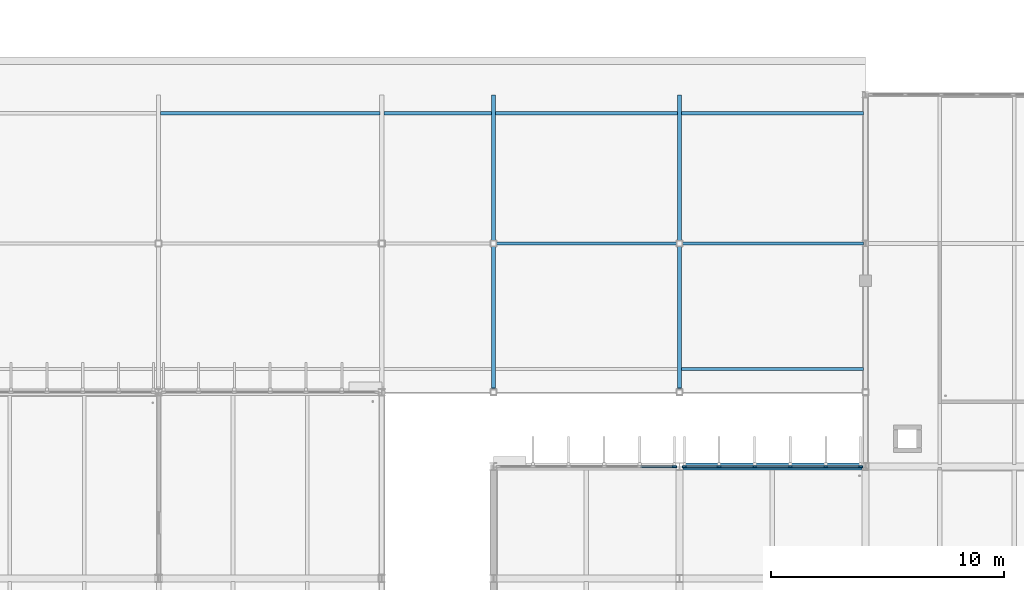
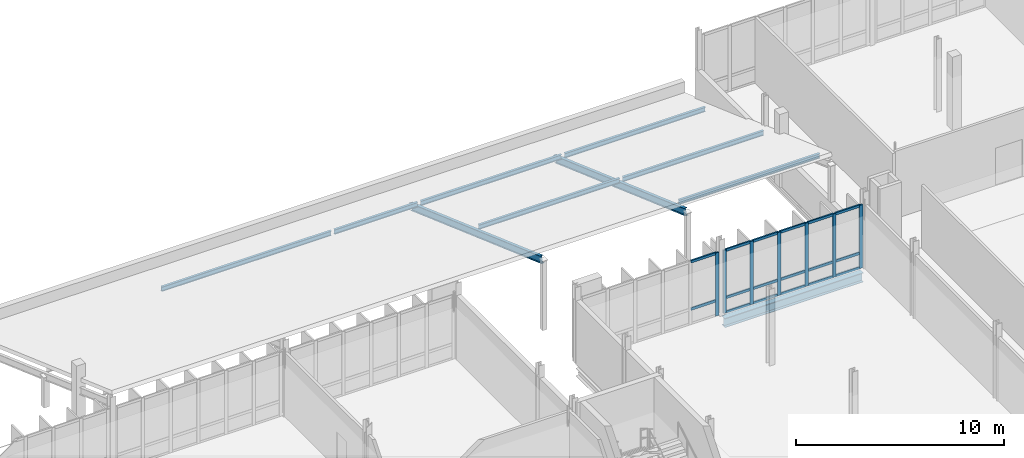
# One storey, part 32 of 107: 33 members, 1 beam, 2 elements without a shape of their own.
"""IFC4 building model written with IfcOpenShell, lengths in metres."""

from ifc_helpers import new_model, si_unit, direction, frame, origin, origin_2d, place, context, subcontext, project, spatial, rectangle, i_section, extrude, material, material_profile, profile_set, type_object, element, aggregate, save


model = new_model("IFC4")

# Units and contexts
model_context = context("Model", 3, precision=1e-05, world=origin(), true_north=direction((0.0, 1.0)))
body_context = subcontext(model_context, "Body", "Model", "MODEL_VIEW")
ifc_project = project(units=[si_unit("LENGTHUNIT", "METRE"), si_unit("AREAUNIT", "SQUARE_METRE"), si_unit("VOLUMEUNIT", "CUBIC_METRE"), si_unit("PLANEANGLEUNIT", "RADIAN"), si_unit("MASSUNIT", "GRAM", prefix="KILO")], contexts=[model_context])

# Site, building, storey
site_placement = place(None, origin())
site = spatial("IfcSite", under=ifc_project, at=site_placement, CompositionType="ELEMENT")
building_placement = place(site_placement, origin())
building = spatial("IfcBuilding", under=site, at=building_placement, Name="Dunescarp Central Library", CompositionType="ELEMENT")
storey_placement = place(building_placement, frame((0.0, 0.0, 5.10009765625)))
storey = spatial("IfcBuildingStorey", under=building, at=storey_placement, Name="L01", CompositionType="ELEMENT", Elevation=5.10009765625)

# Curtain wall, member
ifc_material_1 = material(Name="Marine-grade anodised aluminium 6063-T6", Category="aluminium")
curtain_wall_type = type_object("IfcCurtainWallType", Name="ARC-CW-STICK", PredefinedType="NOTDEFINED", material=ifc_material_1)
curtain_wall_1_placement = place(storey_placement, origin())
curtain_wall_1 = element("IfcCurtainWall", 1, at=curtain_wall_1_placement, inside=storey, type_object=curtain_wall_type, Name="L01 curtain wall CW-V3-088", PredefinedType="NOTDEFINED")
ifc_material_profile_1 = material_profile(ifc_material_1, rectangle(XDim=0.080078125, YDim=0.179931640625, at=origin_2d()), Name="AL 80x180")
ifc_profile_set_1 = profile_set([ifc_material_profile_1], Name="Marine-grade anodised aluminium 6063-T6")
member_type_1 = type_object("IfcMemberType", Name="ARC-CWM-180", PredefinedType="MULLION", material=ifc_profile_set_1)
member_1_placement = place(storey_placement, frame((89.385009765625, 33.60009765625, 0.0), z_axis=(0.0, 0.0, 1.0), x_axis=(0.0, 1.0, 0.0)))
member_1 = element("IfcMember", 2, at=member_1_placement, type_object=member_type_1, Name="CW-V3-088 mullion 6", PredefinedType="MULLION", context=body_context, shape_type="SweptSolid", body=[
    extrude(rectangle(XDim=0.080078125, YDim=0.179931640625, at=origin_2d()), origin(), (0.0, 0.0, 1.0), 3.71484375),
])

# Curtain wall, members
curtain_wall_2_placement = place(storey_placement, origin())
curtain_wall_2 = element("IfcCurtainWall", 3, at=curtain_wall_2_placement, inside=storey, type_object=curtain_wall_type, Name="L01 curtain wall CW-V3-089", PredefinedType="NOTDEFINED")
member_2_placement = place(storey_placement, frame((89.81494140625, 33.60009765625, 0.0), z_axis=(0.0, 0.0, 1.0), x_axis=(0.0, 1.0, 0.0)))
member_2 = element("IfcMember", 4, at=member_2_placement, type_object=member_type_1, Name="CW-V3-089 mullion 1", PredefinedType="MULLION", context=body_context, shape_type="SweptSolid", body=[
    extrude(rectangle(XDim=0.080078125, YDim=0.179931640625, at=origin_2d()), origin(), (0.0, 0.0, 1.0), 3.71484375),
])
member_3_placement = place(storey_placement, frame((91.304931640625, 33.60009765625, 0.0), z_axis=(0.0, 0.0, 1.0), x_axis=(0.0, 1.0, 0.0)))
member_3 = element("IfcMember", 5, at=member_3_placement, type_object=member_type_1, Name="CW-V3-089 mullion 2", PredefinedType="MULLION", context=body_context, shape_type="SweptSolid", body=[
    extrude(rectangle(XDim=0.080078125, YDim=0.179931640625, at=origin_2d()), origin(), (0.0, 0.0, 1.0), 3.71484375),
])
member_4_placement = place(storey_placement, frame((92.8349609375, 33.60009765625, 0.0), z_axis=(0.0, 0.0, 1.0), x_axis=(0.0, 1.0, 0.0)))
member_4 = element("IfcMember", 6, at=member_4_placement, type_object=member_type_1, Name="CW-V3-089 mullion 3", PredefinedType="MULLION", context=body_context, shape_type="SweptSolid", body=[
    extrude(rectangle(XDim=0.080078125, YDim=0.179931640625, at=origin_2d()), origin(), (0.0, 0.0, 1.0), 3.71484375),
])
member_5_placement = place(storey_placement, frame((94.364990234375, 33.60009765625, 0.0), z_axis=(0.0, 0.0, 1.0), x_axis=(0.0, 1.0, 0.0)))
member_5 = element("IfcMember", 7, at=member_5_placement, type_object=member_type_1, Name="CW-V3-089 mullion 4", PredefinedType="MULLION", context=body_context, shape_type="SweptSolid", body=[
    extrude(rectangle(XDim=0.080078125, YDim=0.179931640625, at=origin_2d()), origin(), (0.0, 0.0, 1.0), 3.71484375),
])
member_6_placement = place(storey_placement, frame((95.89501953125, 33.60009765625, 0.0), z_axis=(0.0, 0.0, 1.0), x_axis=(0.0, 1.0, 0.0)))
member_6 = element("IfcMember", 8, at=member_6_placement, type_object=member_type_1, Name="CW-V3-089 mullion 5", PredefinedType="MULLION", context=body_context, shape_type="SweptSolid", body=[
    extrude(rectangle(XDim=0.080078125, YDim=0.179931640625, at=origin_2d()), origin(), (0.0, 0.0, 1.0), 3.71484375),
])
member_7_placement = place(storey_placement, frame((97.385009765625, 33.60009765625, 0.0), z_axis=(0.0, 0.0, 1.0), x_axis=(0.0, 1.0, 0.0)))
member_7 = element("IfcMember", 9, at=member_7_placement, type_object=member_type_1, Name="CW-V3-089 mullion 6", PredefinedType="MULLION", context=body_context, shape_type="SweptSolid", body=[
    extrude(rectangle(XDim=0.080078125, YDim=0.179931640625, at=origin_2d()), origin(), (0.0, 0.0, 1.0), 3.71484375),
])

# Member
ifc_material_profile_2 = material_profile(ifc_material_1, rectangle(XDim=0.080078125, YDim=0.14990234375, at=origin_2d()), Name="AL 80x150")
ifc_profile_set_2 = profile_set([ifc_material_profile_2], Name="Marine-grade anodised aluminium 6063-T6")
member_type_2 = type_object("IfcMemberType", Name="ARC-CWT-150", PredefinedType="USERDEFINED", material=ifc_profile_set_2)
member_8_placement = place(storey_placement, frame((87.93505859375, 33.60009765625, 0.89990234375), z_axis=(1.0, 0.0, 0.0), x_axis=(0.0, 1.0, 0.0)))
member_8 = element("IfcMember", 10, at=member_8_placement, type_object=member_type_2, Name="CW-V3-088 transom 5.2", ObjectType="TRANSOM", PredefinedType="USERDEFINED", context=body_context, shape_type="SweptSolid", body=[
    extrude(rectangle(XDim=0.080078125, YDim=0.14990234375, at=origin_2d()), origin(), (0.0, 0.0, 1.0), 1.409912109375),
])

member_9_placement = place(storey_placement, frame((87.93505859375, 33.60009765625, 3.6748046875), z_axis=(1.0, 0.0, 0.0), x_axis=(0.0, 1.0, 0.0)))
member_9 = element("IfcMember", 11, at=member_9_placement, type_object=member_type_2, Name="CW-V3-088 transom 5.3", ObjectType="TRANSOM", PredefinedType="USERDEFINED", context=body_context, shape_type="SweptSolid", body=[
    extrude(rectangle(XDim=0.080078125, YDim=0.14990234375, at=origin_2d()), origin(), (0.0, 0.0, 1.0), 1.409912109375),
])

aggregate(curtain_wall_1, [member_1, member_8, member_9])

member_10_placement = place(storey_placement, frame((89.85498046875, 33.60009765625, 0.039794921875), z_axis=(1.0, 0.0, 0.0), x_axis=(0.0, 1.0, 0.0)))
member_10 = element("IfcMember", 12, at=member_10_placement, type_object=member_type_2, Name="CW-V3-089 transom 1.1", ObjectType="TRANSOM", PredefinedType="USERDEFINED", context=body_context, shape_type="SweptSolid", body=[
    extrude(rectangle(XDim=0.080078125, YDim=0.14990234375, at=origin_2d()), origin(), (0.0, 0.0, 1.0), 1.409912109375),
])

member_11_placement = place(storey_placement, frame((89.85498046875, 33.60009765625, 0.89990234375), z_axis=(1.0, 0.0, 0.0), x_axis=(0.0, 1.0, 0.0)))
member_11 = element("IfcMember", 13, at=member_11_placement, type_object=member_type_2, Name="CW-V3-089 transom 1.2", ObjectType="TRANSOM", PredefinedType="USERDEFINED", context=body_context, shape_type="SweptSolid", body=[
    extrude(rectangle(XDim=0.080078125, YDim=0.14990234375, at=origin_2d()), origin(), (0.0, 0.0, 1.0), 1.409912109375),
])

member_12_placement = place(storey_placement, frame((89.85498046875, 33.60009765625, 3.6748046875), z_axis=(1.0, 0.0, 0.0), x_axis=(0.0, 1.0, 0.0)))
member_12 = element("IfcMember", 14, at=member_12_placement, type_object=member_type_2, Name="CW-V3-089 transom 1.3", ObjectType="TRANSOM", PredefinedType="USERDEFINED", context=body_context, shape_type="SweptSolid", body=[
    extrude(rectangle(XDim=0.080078125, YDim=0.14990234375, at=origin_2d()), origin(), (0.0, 0.0, 1.0), 1.409912109375),
])

member_13_placement = place(storey_placement, frame((91.344970703125, 33.60009765625, 0.039794921875), z_axis=(1.0, 0.0, 0.0), x_axis=(0.0, 1.0, 0.0)))
member_13 = element("IfcMember", 15, at=member_13_placement, type_object=member_type_2, Name="CW-V3-089 transom 2.1", ObjectType="TRANSOM", PredefinedType="USERDEFINED", context=body_context, shape_type="SweptSolid", body=[
    extrude(rectangle(XDim=0.080078125, YDim=0.14990234375, at=origin_2d()), origin(), (0.0, 0.0, 1.0), 1.449951171875),
])

member_14_placement = place(storey_placement, frame((91.344970703125, 33.60009765625, 0.89990234375), z_axis=(1.0, 0.0, 0.0), x_axis=(0.0, 1.0, 0.0)))
member_14 = element("IfcMember", 16, at=member_14_placement, type_object=member_type_2, Name="CW-V3-089 transom 2.2", ObjectType="TRANSOM", PredefinedType="USERDEFINED", context=body_context, shape_type="SweptSolid", body=[
    extrude(rectangle(XDim=0.080078125, YDim=0.14990234375, at=origin_2d()), origin(), (0.0, 0.0, 1.0), 1.449951171875),
])

member_15_placement = place(storey_placement, frame((91.344970703125, 33.60009765625, 3.6748046875), z_axis=(1.0, 0.0, 0.0), x_axis=(0.0, 1.0, 0.0)))
member_15 = element("IfcMember", 17, at=member_15_placement, type_object=member_type_2, Name="CW-V3-089 transom 2.3", ObjectType="TRANSOM", PredefinedType="USERDEFINED", context=body_context, shape_type="SweptSolid", body=[
    extrude(rectangle(XDim=0.080078125, YDim=0.14990234375, at=origin_2d()), origin(), (0.0, 0.0, 1.0), 1.449951171875),
])

member_16_placement = place(storey_placement, frame((92.875, 33.60009765625, 0.039794921875), z_axis=(1.0, 0.0, 0.0), x_axis=(0.0, 1.0, 0.0)))
member_16 = element("IfcMember", 18, at=member_16_placement, type_object=member_type_2, Name="CW-V3-089 transom 3.1", ObjectType="TRANSOM", PredefinedType="USERDEFINED", context=body_context, shape_type="SweptSolid", body=[
    extrude(rectangle(XDim=0.080078125, YDim=0.14990234375, at=origin_2d()), origin(), (0.0, 0.0, 1.0), 1.449951171875),
])

member_17_placement = place(storey_placement, frame((92.875, 33.60009765625, 0.89990234375), z_axis=(1.0, 0.0, 0.0), x_axis=(0.0, 1.0, 0.0)))
member_17 = element("IfcMember", 19, at=member_17_placement, type_object=member_type_2, Name="CW-V3-089 transom 3.2", ObjectType="TRANSOM", PredefinedType="USERDEFINED", context=body_context, shape_type="SweptSolid", body=[
    extrude(rectangle(XDim=0.080078125, YDim=0.14990234375, at=origin_2d()), origin(), (0.0, 0.0, 1.0), 1.449951171875),
])

member_18_placement = place(storey_placement, frame((92.875, 33.60009765625, 3.6748046875), z_axis=(1.0, 0.0, 0.0), x_axis=(0.0, 1.0, 0.0)))
member_18 = element("IfcMember", 20, at=member_18_placement, type_object=member_type_2, Name="CW-V3-089 transom 3.3", ObjectType="TRANSOM", PredefinedType="USERDEFINED", context=body_context, shape_type="SweptSolid", body=[
    extrude(rectangle(XDim=0.080078125, YDim=0.14990234375, at=origin_2d()), origin(), (0.0, 0.0, 1.0), 1.449951171875),
])

member_19_placement = place(storey_placement, frame((94.405029296875, 33.60009765625, 0.039794921875), z_axis=(1.0, 0.0, 0.0), x_axis=(0.0, 1.0, 0.0)))
member_19 = element("IfcMember", 21, at=member_19_placement, type_object=member_type_2, Name="CW-V3-089 transom 4.1", ObjectType="TRANSOM", PredefinedType="USERDEFINED", context=body_context, shape_type="SweptSolid", body=[
    extrude(rectangle(XDim=0.080078125, YDim=0.14990234375, at=origin_2d()), origin(), (0.0, 0.0, 1.0), 1.449951171875),
])

member_20_placement = place(storey_placement, frame((94.405029296875, 33.60009765625, 0.89990234375), z_axis=(1.0, 0.0, 0.0), x_axis=(0.0, 1.0, 0.0)))
member_20 = element("IfcMember", 22, at=member_20_placement, type_object=member_type_2, Name="CW-V3-089 transom 4.2", ObjectType="TRANSOM", PredefinedType="USERDEFINED", context=body_context, shape_type="SweptSolid", body=[
    extrude(rectangle(XDim=0.080078125, YDim=0.14990234375, at=origin_2d()), origin(), (0.0, 0.0, 1.0), 1.449951171875),
])

member_21_placement = place(storey_placement, frame((94.405029296875, 33.60009765625, 3.6748046875), z_axis=(1.0, 0.0, 0.0), x_axis=(0.0, 1.0, 0.0)))
member_21 = element("IfcMember", 23, at=member_21_placement, type_object=member_type_2, Name="CW-V3-089 transom 4.3", ObjectType="TRANSOM", PredefinedType="USERDEFINED", context=body_context, shape_type="SweptSolid", body=[
    extrude(rectangle(XDim=0.080078125, YDim=0.14990234375, at=origin_2d()), origin(), (0.0, 0.0, 1.0), 1.449951171875),
])

member_22_placement = place(storey_placement, frame((95.93505859375, 33.60009765625, 0.039794921875), z_axis=(1.0, 0.0, 0.0), x_axis=(0.0, 1.0, 0.0)))
member_22 = element("IfcMember", 24, at=member_22_placement, type_object=member_type_2, Name="CW-V3-089 transom 5.1", ObjectType="TRANSOM", PredefinedType="USERDEFINED", context=body_context, shape_type="SweptSolid", body=[
    extrude(rectangle(XDim=0.080078125, YDim=0.14990234375, at=origin_2d()), origin(), (0.0, 0.0, 1.0), 1.409912109375),
])

member_23_placement = place(storey_placement, frame((95.93505859375, 33.60009765625, 0.89990234375), z_axis=(1.0, 0.0, 0.0), x_axis=(0.0, 1.0, 0.0)))
member_23 = element("IfcMember", 25, at=member_23_placement, type_object=member_type_2, Name="CW-V3-089 transom 5.2", ObjectType="TRANSOM", PredefinedType="USERDEFINED", context=body_context, shape_type="SweptSolid", body=[
    extrude(rectangle(XDim=0.080078125, YDim=0.14990234375, at=origin_2d()), origin(), (0.0, 0.0, 1.0), 1.409912109375),
])

member_24_placement = place(storey_placement, frame((95.93505859375, 33.60009765625, 3.6748046875), z_axis=(1.0, 0.0, 0.0), x_axis=(0.0, 1.0, 0.0)))
member_24 = element("IfcMember", 26, at=member_24_placement, type_object=member_type_2, Name="CW-V3-089 transom 5.3", ObjectType="TRANSOM", PredefinedType="USERDEFINED", context=body_context, shape_type="SweptSolid", body=[
    extrude(rectangle(XDim=0.080078125, YDim=0.14990234375, at=origin_2d()), origin(), (0.0, 0.0, 1.0), 1.409912109375),
])

aggregate(curtain_wall_2, [member_2, member_3, member_4, member_5, member_6, member_7, member_10, member_11, member_12, member_13, member_14, member_15, member_16, member_17, member_18, member_19, member_20, member_21, member_22, member_23, member_24])

# Beam
ifc_material_2 = material(Name="Steel S355JR", Category="steel")
ifc_material_profile_3 = material_profile(ifc_material_2, i_section(OverallWidth=0.300048828125, OverallDepth=0.550048828125, WebThickness=0.014892578125, FlangeThickness=0.029052734375, at=origin_2d()), Name="HEB 550")
ifc_profile_set_3 = profile_set([ifc_material_profile_3], Name="Steel S355JR")
beam_type = type_object("IfcBeamType", Name="STR-BM-HEB550", PredefinedType="BEAM", material=ifc_profile_set_3)
beam_placement = place(storey_placement, frame((89.75390625, 33.60009765625, -0.4951171875), z_axis=(1.0, 0.0, 0.0), x_axis=(0.0, 1.0, 0.0)))
element("IfcBeam", 27, at=beam_placement, inside=storey, type_object=beam_type, Name="L01 girder BM-L01-0682", PredefinedType="BEAM", context=body_context, shape_type="SweptSolid", body=[
    extrude(i_section(OverallWidth=0.300048828125, OverallDepth=0.550048828125, WebThickness=0.014892578125, FlangeThickness=0.029052734375, at=origin_2d()), origin(), (0.0, 0.0, 1.0), 7.692138671875),
])

# Members
ifc_material_profile_4 = material_profile(ifc_material_2, i_section(OverallWidth=0.135009765625, OverallDepth=0.27001953125, WebThickness=0.006591796875, FlangeThickness=0.01025390625, at=origin_2d()), Name="IPE 270")
ifc_profile_set_4 = profile_set([ifc_material_profile_4], Name="Steel S355JR")
member_type_3 = type_object("IfcMemberType", Name="STR-PR-IPE270", PredefinedType="PURLIN", material=ifc_profile_set_4)
for number, where, z_axis, x_axis, name in (
    (28, (89.68701171875, 37.800048828125, 4.02001953125), (1.0, 0.0, 0.0), (0.0, 1.0, 0.0), "CLN roof purlin PR-CLN-076"),
    (29, (81.68701171875, 43.199951171875, 2.0869140625), (1.0, 0.0, 0.0), (0.0, 1.0, 0.0), "CLN roof purlin PR-CLN-080"),
    (30, (89.68701171875, 43.199951171875, 2.0869140625), (1.0, 0.0, 0.0), (0.0, 1.0, 0.0), "CLN roof purlin PR-CLN-081"),
):
    element("IfcMember", number, at=place(storey_placement, frame(where, z_axis=z_axis, x_axis=x_axis)), inside=storey, type_object=member_type_3, Name=name, PredefinedType="PURLIN", context=body_context, shape_type="SweptSolid", body=[
        extrude(i_section(OverallWidth=0.135009765625, OverallDepth=0.27001953125, WebThickness=0.006591796875, FlangeThickness=0.01025390625, at=origin_2d()), origin(), (0.0, 0.0, 1.0), 7.825927734375),
    ])
member_25_placement = place(storey_placement, frame((67.287109375, 48.800048828125, 0.083984375), z_axis=(1.0, 0.0, 0.0), x_axis=(0.0, 1.0, 0.0)))
element("IfcMember", 31, at=member_25_placement, inside=storey, type_object=member_type_3, Name="CLN roof purlin PR-CLN-083", PredefinedType="PURLIN", context=body_context, shape_type="SweptSolid", body=[
    extrude(i_section(OverallWidth=0.135009765625, OverallDepth=0.27001953125, WebThickness=0.006591796875, FlangeThickness=0.01025390625, at=origin_2d()), origin(), (0.0, 0.0, 1.0), 9.42578125),
])
member_26_placement = place(storey_placement, frame((76.886962890625, 48.800048828125, 0.083984375), z_axis=(1.0, 0.0, 0.0), x_axis=(0.0, 1.0, 0.0)))
element("IfcMember", 32, at=member_26_placement, inside=storey, type_object=member_type_3, Name="CLN roof purlin PR-CLN-084", PredefinedType="PURLIN", context=body_context, shape_type="SweptSolid", body=[
    extrude(i_section(OverallWidth=0.135009765625, OverallDepth=0.27001953125, WebThickness=0.006591796875, FlangeThickness=0.01025390625, at=origin_2d()), origin(), (0.0, 0.0, 1.0), 4.6259765625),
])
for number, where, z_axis, x_axis, name in (
    (33, (81.68701171875, 48.800048828125, 0.083984375), (1.0, 0.0, 0.0), (0.0, 1.0, 0.0), "CLN roof purlin PR-CLN-085"),
    (34, (89.68701171875, 48.800048828125, 0.083984375), (1.0, 0.0, 0.0), (0.0, 1.0, 0.0), "CLN roof purlin PR-CLN-086"),
):
    element("IfcMember", number, at=place(storey_placement, frame(where, z_axis=z_axis, x_axis=x_axis)), inside=storey, type_object=member_type_3, Name=name, PredefinedType="PURLIN", context=body_context, shape_type="SweptSolid", body=[
        extrude(i_section(OverallWidth=0.135009765625, OverallDepth=0.27001953125, WebThickness=0.006591796875, FlangeThickness=0.01025390625, at=origin_2d()), origin(), (0.0, 0.0, 1.0), 7.825927734375),
    ])
ifc_material_profile_5 = material_profile(ifc_material_2, i_section(OverallWidth=0.179931640625, OverallDepth=0.39990234375, WebThickness=0.008544921875, FlangeThickness=0.013427734375, at=origin_2d()), Name="IPE 400")
ifc_profile_set_5 = profile_set([ifc_material_profile_5], Name="Steel S355JR")
member_type_4 = type_object("IfcMemberType", Name="STR-RF-IPE400", PredefinedType="RAFTER", material=ifc_profile_set_5)
for number, where, z_axis, x_axis, name in (
    (35, (81.60009765625, 36.909912109375, 4.0068359375), (0.0, 0.94154701174, -0.336881618204), (-1.0, 0.0, 0.0), "CLN raked roof rafter RFT-CLN-064"),
    (36, (89.60009765625, 36.909912109375, 4.0068359375), (0.0, 0.94154701174, -0.336881618204), (-1.0, 0.0, 0.0), "CLN raked roof rafter RFT-CLN-065"),
):
    element("IfcMember", number, at=place(storey_placement, frame(where, z_axis=z_axis, x_axis=x_axis)), inside=storey, type_object=member_type_4, Name=name, PredefinedType="RAFTER", context=body_context, shape_type="SweptSolid", body=[
        extrude(i_section(OverallWidth=0.179931640625, OverallDepth=0.39990234375, WebThickness=0.008544921875, FlangeThickness=0.013427734375, at=origin_2d()), origin(), (0.0, 0.0, 1.0), 13.387451171875),
    ])

save(model, "model.ifc")
